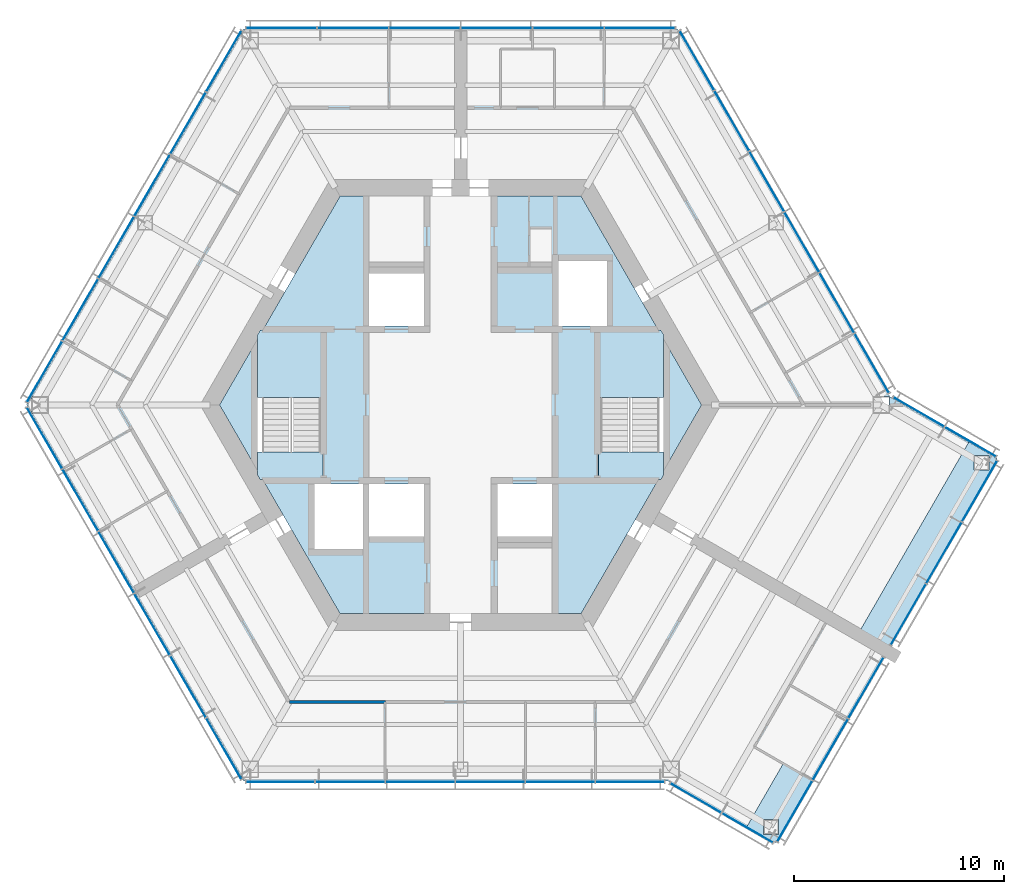
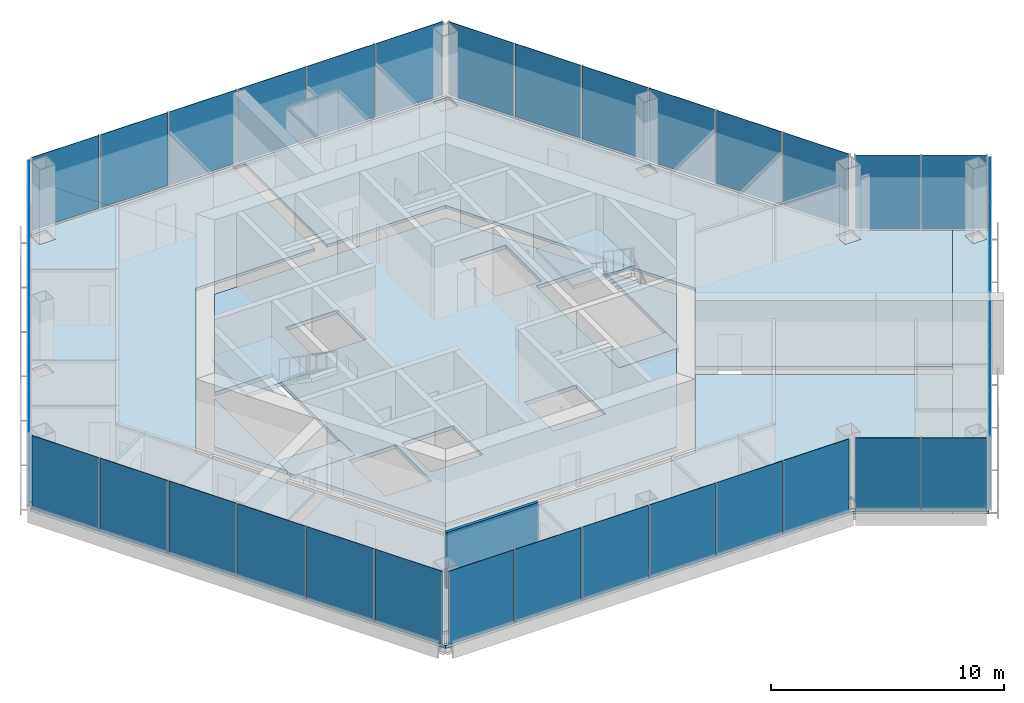
# One storey, part 6 of 13: 40 plates, 9 slabs, 1 wall, 11 elements without a shape of their own.
"""IFC4 building model written with IfcOpenShell, lengths in metres."""

from ifc_helpers import new_model, si_unit, direction, frame, frame_2d, origin, origin_2d, place, context, subcontext, project, spatial, polyline, rectangle, outline, extrude, material, layer, layer_set, type_object, element, aggregate, save


model = new_model("IFC4")

# Units and contexts
model_context = context("Model", 3, precision=1e-05, world=origin(), true_north=direction((0.0, 1.0)))
body_context = subcontext(model_context, "Body", "Model", "MODEL_VIEW")
ifc_project = project(units=[si_unit("LENGTHUNIT", "METRE"), si_unit("AREAUNIT", "SQUARE_METRE"), si_unit("VOLUMEUNIT", "CUBIC_METRE"), si_unit("PLANEANGLEUNIT", "RADIAN"), si_unit("MASSUNIT", "GRAM", prefix="KILO")], contexts=[model_context])

# Site, building, storey
site_placement = place(None, origin())
site = spatial("IfcSite", under=ifc_project, at=site_placement, CompositionType="ELEMENT")
building_placement = place(site_placement, origin())
building = spatial("IfcBuilding", under=site, at=building_placement, Name="Kasaneha Research Tower", CompositionType="ELEMENT")
storey_placement = place(building_placement, frame((0.0, 0.0, 283.0)))
storey = spatial("IfcBuildingStorey", under=building, at=storey_placement, Name="L71", CompositionType="ELEMENT", Elevation=283.0)

# Curtain wall, plates
ifc_material_1 = material(Name="Glass and aluminium", Category="aluminium")
curtain_wall_type = type_object("IfcCurtainWallType", Name="Crown curtain wall", PredefinedType="USERDEFINED", material=ifc_material_1)
curtain_wall_1_placement = place(storey_placement, origin())
curtain_wall_1 = element("IfcCurtainWall", 1, at=curtain_wall_1_placement, inside=storey, type_object=curtain_wall_type, Name="CW-C L71 run 01a", ObjectType="UNITISED CURTAIN WALL", PredefinedType="USERDEFINED")
ifc_material_2 = material(Name="Laminated double glazing", Category="glass")
ifc_layer_1 = layer(ifc_material_2, 0.02587890625)
ifc_layer_set_1 = layer_set([ifc_layer_1], Name="CW-C glazed panel")
plate_type = type_object("IfcPlateType", Name="CW-C glazed panel", PredefinedType="CURTAIN_PANEL", material=ifc_layer_set_1)
plate_1_placement = place(storey_placement, frame((19.549072265625, 1.981201171875, 0.06005859375), z_axis=(0.0, 0.0, 1.0), x_axis=(-0.499999979232, 0.866025415775, 0.0)))
plate_1 = element("IfcPlate", 2, at=plate_1_placement, type_object=plate_type, Name="CW-C panel 1", PredefinedType="CURTAIN_PANEL", context=body_context, shape_type="SweptSolid", body=[
    extrude(rectangle(XDim=3.240966796875, YDim=0.02587890625, at=origin_2d()), origin(), (0.0, 0.0, 1.0), 3.840087890625),
])
plate_2_placement = place(storey_placement, frame((17.89111328125, 4.852783203125, 0.06005859375), z_axis=(0.0, 0.0, 1.0), x_axis=(-0.499999979232, 0.866025415775, 0.0)))
plate_2 = element("IfcPlate", 3, at=plate_2_placement, type_object=plate_type, Name="CW-C panel 2", PredefinedType="CURTAIN_PANEL", context=body_context, shape_type="SweptSolid", body=[
    extrude(rectangle(XDim=3.27099609375, YDim=0.02587890625, at=origin_2d()), origin(), (0.0, 0.0, 1.0), 3.840087890625),
])
plate_3_placement = place(storey_placement, frame((16.2255859375, 7.737548828125, 0.06005859375), z_axis=(0.0, 0.0, 1.0), x_axis=(-0.499999979232, 0.866025415775, 0.0)))
plate_3 = element("IfcPlate", 4, at=plate_3_placement, type_object=plate_type, Name="CW-C panel 3", PredefinedType="CURTAIN_PANEL", context=body_context, shape_type="SweptSolid", body=[
    extrude(rectangle(XDim=3.27099609375, YDim=0.02587890625, at=origin_2d()), origin(), (0.0, 0.0, 1.0), 3.840087890625),
])
plate_4_placement = place(storey_placement, frame((14.56005859375, 10.622314453125, 0.06005859375), z_axis=(0.0, 0.0, 1.0), x_axis=(-0.499999979232, 0.866025415775, 0.0)))
plate_4 = element("IfcPlate", 5, at=plate_4_placement, type_object=plate_type, Name="CW-C panel 4", PredefinedType="CURTAIN_PANEL", context=body_context, shape_type="SweptSolid", body=[
    extrude(rectangle(XDim=3.27099609375, YDim=0.02587890625, at=origin_2d()), origin(), (0.0, 0.0, 1.0), 3.840087890625),
])
plate_5_placement = place(storey_placement, frame((12.89453125, 13.5068359375, 0.06005859375), z_axis=(0.0, 0.0, 1.0), x_axis=(-0.499999979232, 0.866025415775, 0.0)))
plate_5 = element("IfcPlate", 6, at=plate_5_placement, type_object=plate_type, Name="CW-C panel 5", PredefinedType="CURTAIN_PANEL", context=body_context, shape_type="SweptSolid", body=[
    extrude(rectangle(XDim=3.27099609375, YDim=0.02587890625, at=origin_2d()), origin(), (0.0, 0.0, 1.0), 3.840087890625),
])
plate_6_placement = place(storey_placement, frame((11.236572265625, 16.378662109375, 0.06005859375), z_axis=(0.0, 0.0, 1.0), x_axis=(-0.499999979232, 0.866025415775, 0.0)))
plate_6 = element("IfcPlate", 7, at=plate_6_placement, type_object=plate_type, Name="CW-C panel 6", PredefinedType="CURTAIN_PANEL", context=body_context, shape_type="SweptSolid", body=[
    extrude(rectangle(XDim=3.240966796875, YDim=0.02587890625, at=origin_2d()), origin(), (0.0, 0.0, 1.0), 3.840087890625),
])
aggregate(curtain_wall_1, [plate_1, plate_2, plate_3, plate_4, plate_5, plate_6])

curtain_wall_2_placement = place(storey_placement, origin())
curtain_wall_2 = element("IfcCurtainWall", 8, at=curtain_wall_2_placement, inside=storey, type_object=curtain_wall_type, Name="CW-C L71 run 02a", ObjectType="UNITISED CURTAIN WALL", PredefinedType="USERDEFINED")
plate_7_placement = place(storey_placement, frame((8.523681640625, 17.92041015625, 0.06005859375), z_axis=(0.0, 0.0, 1.0), x_axis=(-1.0, 0.0, 0.0)))
plate_7 = element("IfcPlate", 9, at=plate_7_placement, type_object=plate_type, Name="CW-C panel 1", PredefinedType="CURTAIN_PANEL", context=body_context, shape_type="SweptSolid", body=[
    extrude(rectangle(XDim=3.325439453125, YDim=0.02587890625, at=origin_2d()), origin(), (0.0, 0.0, 1.0), 3.840087890625),
])
plate_8_placement = place(storey_placement, frame((5.123291015625, 17.92041015625, 0.06005859375), z_axis=(0.0, 0.0, 1.0), x_axis=(-1.0, 0.0, 0.0)))
plate_8 = element("IfcPlate", 10, at=plate_8_placement, type_object=plate_type, Name="CW-C panel 2", PredefinedType="CURTAIN_PANEL", context=body_context, shape_type="SweptSolid", body=[
    extrude(rectangle(XDim=3.35546875, YDim=0.02587890625, at=origin_2d()), origin(), (0.0, 0.0, 1.0), 3.840087890625),
])
plate_9_placement = place(storey_placement, frame((1.707763671875, 17.92041015625, 0.06005859375), z_axis=(0.0, 0.0, 1.0), x_axis=(-1.0, 0.0, 0.0)))
plate_9 = element("IfcPlate", 11, at=plate_9_placement, type_object=plate_type, Name="CW-C panel 3", PredefinedType="CURTAIN_PANEL", context=body_context, shape_type="SweptSolid", body=[
    extrude(rectangle(XDim=3.35546875, YDim=0.02587890625, at=origin_2d()), origin(), (0.0, 0.0, 1.0), 3.840087890625),
])
plate_10_placement = place(storey_placement, frame((-1.707763671875, 17.92041015625, 0.06005859375), z_axis=(0.0, 0.0, 1.0), x_axis=(-1.0, 0.0, 0.0)))
plate_10 = element("IfcPlate", 12, at=plate_10_placement, type_object=plate_type, Name="CW-C panel 4", PredefinedType="CURTAIN_PANEL", context=body_context, shape_type="SweptSolid", body=[
    extrude(rectangle(XDim=3.35546875, YDim=0.02587890625, at=origin_2d()), origin(), (0.0, 0.0, 1.0), 3.840087890625),
])
plate_11_placement = place(storey_placement, frame((-5.123291015625, 17.92041015625, 0.06005859375), z_axis=(0.0, 0.0, 1.0), x_axis=(-1.0, 0.0, 0.0)))
plate_11 = element("IfcPlate", 13, at=plate_11_placement, type_object=plate_type, Name="CW-C panel 5", PredefinedType="CURTAIN_PANEL", context=body_context, shape_type="SweptSolid", body=[
    extrude(rectangle(XDim=3.35546875, YDim=0.02587890625, at=origin_2d()), origin(), (0.0, 0.0, 1.0), 3.840087890625),
])
plate_12_placement = place(storey_placement, frame((-8.523681640625, 17.92041015625, 0.06005859375), z_axis=(0.0, 0.0, 1.0), x_axis=(-1.0, 0.0, 0.0)))
plate_12 = element("IfcPlate", 14, at=plate_12_placement, type_object=plate_type, Name="CW-C panel 6", PredefinedType="CURTAIN_PANEL", context=body_context, shape_type="SweptSolid", body=[
    extrude(rectangle(XDim=3.325439453125, YDim=0.02587890625, at=origin_2d()), origin(), (0.0, 0.0, 1.0), 3.840087890625),
])
aggregate(curtain_wall_2, [plate_7, plate_8, plate_9, plate_10, plate_11, plate_12])

curtain_wall_3_placement = place(storey_placement, origin())
curtain_wall_3 = element("IfcCurtainWall", 15, at=curtain_wall_3_placement, inside=storey, type_object=curtain_wall_type, Name="CW-C L71 run 03a", ObjectType="UNITISED CURTAIN WALL", PredefinedType="USERDEFINED")
plate_13_placement = place(storey_placement, frame((-11.2578125, 16.342041015625, 0.06005859375), z_axis=(0.0, 0.0, 1.0), x_axis=(-0.499999995722, -0.866025406254, 0.0)))
plate_13 = element("IfcPlate", 16, at=plate_13_placement, type_object=plate_type, Name="CW-C panel 1", PredefinedType="CURTAIN_PANEL", context=body_context, shape_type="SweptSolid", body=[
    extrude(rectangle(XDim=3.325439453125, YDim=0.02587890625, at=origin_2d()), origin(), (0.0, 0.0, 1.0), 3.840087890625),
])
plate_14_placement = place(storey_placement, frame((-12.9580078125, 13.39697265625, 0.06005859375), z_axis=(0.0, 0.0, 1.0), x_axis=(-0.499999995722, -0.866025406254, 0.0)))
plate_14 = element("IfcPlate", 17, at=plate_14_placement, type_object=plate_type, Name="CW-C panel 2", PredefinedType="CURTAIN_PANEL", context=body_context, shape_type="SweptSolid", body=[
    extrude(rectangle(XDim=3.35546875, YDim=0.02587890625, at=origin_2d()), origin(), (0.0, 0.0, 1.0), 3.840087890625),
])
plate_15_placement = place(storey_placement, frame((-14.665771484375, 10.439208984375, 0.06005859375), z_axis=(0.0, 0.0, 1.0), x_axis=(-0.499999995722, -0.866025406254, 0.0)))
plate_15 = element("IfcPlate", 18, at=plate_15_placement, type_object=plate_type, Name="CW-C panel 3", PredefinedType="CURTAIN_PANEL", context=body_context, shape_type="SweptSolid", body=[
    extrude(rectangle(XDim=3.35546875, YDim=0.02587890625, at=origin_2d()), origin(), (0.0, 0.0, 1.0), 3.840087890625),
])
plate_16_placement = place(storey_placement, frame((-16.37353515625, 7.481201171875, 0.06005859375), z_axis=(0.0, 0.0, 1.0), x_axis=(-0.499999995722, -0.866025406254, 0.0)))
plate_16 = element("IfcPlate", 19, at=plate_16_placement, type_object=plate_type, Name="CW-C panel 4", PredefinedType="CURTAIN_PANEL", context=body_context, shape_type="SweptSolid", body=[
    extrude(rectangle(XDim=3.35546875, YDim=0.02587890625, at=origin_2d()), origin(), (0.0, 0.0, 1.0), 3.840087890625),
])
plate_17_placement = place(storey_placement, frame((-18.081298828125, 4.5234375, 0.06005859375), z_axis=(0.0, 0.0, 1.0), x_axis=(-0.499999995722, -0.866025406254, 0.0)))
plate_17 = element("IfcPlate", 20, at=plate_17_placement, type_object=plate_type, Name="CW-C panel 5", PredefinedType="CURTAIN_PANEL", context=body_context, shape_type="SweptSolid", body=[
    extrude(rectangle(XDim=3.35546875, YDim=0.02587890625, at=origin_2d()), origin(), (0.0, 0.0, 1.0), 3.840087890625),
])
plate_18_placement = place(storey_placement, frame((-19.781494140625, 1.57861328125, 0.06005859375), z_axis=(0.0, 0.0, 1.0), x_axis=(-0.499999995722, -0.866025406254, 0.0)))
plate_18 = element("IfcPlate", 21, at=plate_18_placement, type_object=plate_type, Name="CW-C panel 6", PredefinedType="CURTAIN_PANEL", context=body_context, shape_type="SweptSolid", body=[
    extrude(rectangle(XDim=3.325439453125, YDim=0.02587890625, at=origin_2d()), origin(), (0.0, 0.0, 1.0), 3.840087890625),
])
aggregate(curtain_wall_3, [plate_13, plate_14, plate_15, plate_16, plate_17, plate_18])

curtain_wall_4_placement = place(storey_placement, origin())
curtain_wall_4 = element("IfcCurtainWall", 22, at=curtain_wall_4_placement, inside=storey, type_object=curtain_wall_type, Name="CW-C L71 run 04a", ObjectType="UNITISED CURTAIN WALL", PredefinedType="USERDEFINED")
plate_19_placement = place(storey_placement, frame((-19.781494140625, -1.57861328125, 0.06005859375), z_axis=(0.0, 0.0, 1.0), x_axis=(0.499999995722, -0.866025406254, 0.0)))
plate_19 = element("IfcPlate", 23, at=plate_19_placement, type_object=plate_type, Name="CW-C panel 1", PredefinedType="CURTAIN_PANEL", context=body_context, shape_type="SweptSolid", body=[
    extrude(rectangle(XDim=3.325439453125, YDim=0.02587890625, at=origin_2d()), origin(), (0.0, 0.0, 1.0), 3.840087890625),
])
plate_20_placement = place(storey_placement, frame((-18.081298828125, -4.5234375, 0.06005859375), z_axis=(0.0, 0.0, 1.0), x_axis=(0.499999995722, -0.866025406254, 0.0)))
plate_20 = element("IfcPlate", 24, at=plate_20_placement, type_object=plate_type, Name="CW-C panel 2", PredefinedType="CURTAIN_PANEL", context=body_context, shape_type="SweptSolid", body=[
    extrude(rectangle(XDim=3.35546875, YDim=0.02587890625, at=origin_2d()), origin(), (0.0, 0.0, 1.0), 3.840087890625),
])
plate_21_placement = place(storey_placement, frame((-16.37353515625, -7.481201171875, 0.06005859375), z_axis=(0.0, 0.0, 1.0), x_axis=(0.499999995722, -0.866025406254, 0.0)))
plate_21 = element("IfcPlate", 25, at=plate_21_placement, type_object=plate_type, Name="CW-C panel 3", PredefinedType="CURTAIN_PANEL", context=body_context, shape_type="SweptSolid", body=[
    extrude(rectangle(XDim=3.35546875, YDim=0.02587890625, at=origin_2d()), origin(), (0.0, 0.0, 1.0), 3.840087890625),
])
plate_22_placement = place(storey_placement, frame((-14.665771484375, -10.439208984375, 0.06005859375), z_axis=(0.0, 0.0, 1.0), x_axis=(0.499999995722, -0.866025406254, 0.0)))
plate_22 = element("IfcPlate", 26, at=plate_22_placement, type_object=plate_type, Name="CW-C panel 4", PredefinedType="CURTAIN_PANEL", context=body_context, shape_type="SweptSolid", body=[
    extrude(rectangle(XDim=3.35546875, YDim=0.02587890625, at=origin_2d()), origin(), (0.0, 0.0, 1.0), 3.840087890625),
])
plate_23_placement = place(storey_placement, frame((-12.9580078125, -13.39697265625, 0.06005859375), z_axis=(0.0, 0.0, 1.0), x_axis=(0.499999995722, -0.866025406254, 0.0)))
plate_23 = element("IfcPlate", 27, at=plate_23_placement, type_object=plate_type, Name="CW-C panel 5", PredefinedType="CURTAIN_PANEL", context=body_context, shape_type="SweptSolid", body=[
    extrude(rectangle(XDim=3.35546875, YDim=0.02587890625, at=origin_2d()), origin(), (0.0, 0.0, 1.0), 3.840087890625),
])
plate_24_placement = place(storey_placement, frame((-11.2578125, -16.342041015625, 0.06005859375), z_axis=(0.0, 0.0, 1.0), x_axis=(0.499999995722, -0.866025406254, 0.0)))
plate_24 = element("IfcPlate", 28, at=plate_24_placement, type_object=plate_type, Name="CW-C panel 6", PredefinedType="CURTAIN_PANEL", context=body_context, shape_type="SweptSolid", body=[
    extrude(rectangle(XDim=3.325439453125, YDim=0.02587890625, at=origin_2d()), origin(), (0.0, 0.0, 1.0), 3.840087890625),
])
aggregate(curtain_wall_4, [plate_19, plate_20, plate_21, plate_22, plate_23, plate_24])

curtain_wall_5_placement = place(storey_placement, origin())
curtain_wall_5 = element("IfcCurtainWall", 29, at=curtain_wall_5_placement, inside=storey, type_object=curtain_wall_type, Name="CW-C L71 run 05a", ObjectType="UNITISED CURTAIN WALL", PredefinedType="USERDEFINED")
plate_25_placement = place(storey_placement, frame((-8.56591796875, -17.92041015625, 0.06005859375), z_axis=(0.0, 0.0, 1.0), x_axis=(1.0, 0.0, 0.0)))
plate_25 = element("IfcPlate", 30, at=plate_25_placement, type_object=plate_type, Name="CW-C panel 1", PredefinedType="CURTAIN_PANEL", context=body_context, shape_type="SweptSolid", body=[
    extrude(rectangle(XDim=3.240966796875, YDim=0.02587890625, at=origin_2d()), origin(), (0.0, 0.0, 1.0), 3.840087890625),
])
plate_26_placement = place(storey_placement, frame((-5.25, -17.92041015625, 0.06005859375), z_axis=(0.0, 0.0, 1.0), x_axis=(1.0, 0.0, 0.0)))
plate_26 = element("IfcPlate", 31, at=plate_26_placement, type_object=plate_type, Name="CW-C panel 2", PredefinedType="CURTAIN_PANEL", context=body_context, shape_type="SweptSolid", body=[
    extrude(rectangle(XDim=3.27099609375, YDim=0.02587890625, at=origin_2d()), origin(), (0.0, 0.0, 1.0), 3.840087890625),
])
plate_27_placement = place(storey_placement, frame((-1.9189453125, -17.92041015625, 0.06005859375), z_axis=(0.0, 0.0, 1.0), x_axis=(1.0, 0.0, 0.0)))
plate_27 = element("IfcPlate", 32, at=plate_27_placement, type_object=plate_type, Name="CW-C panel 3", PredefinedType="CURTAIN_PANEL", context=body_context, shape_type="SweptSolid", body=[
    extrude(rectangle(XDim=3.27099609375, YDim=0.02587890625, at=origin_2d()), origin(), (0.0, 0.0, 1.0), 3.840087890625),
])
plate_28_placement = place(storey_placement, frame((1.411865234375, -17.92041015625, 0.06005859375), z_axis=(0.0, 0.0, 1.0), x_axis=(1.0, 0.0, 0.0)))
plate_28 = element("IfcPlate", 33, at=plate_28_placement, type_object=plate_type, Name="CW-C panel 4", PredefinedType="CURTAIN_PANEL", context=body_context, shape_type="SweptSolid", body=[
    extrude(rectangle(XDim=3.27099609375, YDim=0.02587890625, at=origin_2d()), origin(), (0.0, 0.0, 1.0), 3.840087890625),
])
plate_29_placement = place(storey_placement, frame((4.742919921875, -17.92041015625, 0.06005859375), z_axis=(0.0, 0.0, 1.0), x_axis=(1.0, 0.0, 0.0)))
plate_29 = element("IfcPlate", 34, at=plate_29_placement, type_object=plate_type, Name="CW-C panel 5", PredefinedType="CURTAIN_PANEL", context=body_context, shape_type="SweptSolid", body=[
    extrude(rectangle(XDim=3.27099609375, YDim=0.02587890625, at=origin_2d()), origin(), (0.0, 0.0, 1.0), 3.840087890625),
])
plate_30_placement = place(storey_placement, frame((8.058837890625, -17.92041015625, 0.06005859375), z_axis=(0.0, 0.0, 1.0), x_axis=(1.0, 0.0, 0.0)))
plate_30 = element("IfcPlate", 35, at=plate_30_placement, type_object=plate_type, Name="CW-C panel 6", PredefinedType="CURTAIN_PANEL", context=body_context, shape_type="SweptSolid", body=[
    extrude(rectangle(XDim=3.240966796875, YDim=0.02587890625, at=origin_2d()), origin(), (0.0, 0.0, 1.0), 3.840087890625),
])
aggregate(curtain_wall_5, [plate_25, plate_26, plate_27, plate_28, plate_29, plate_30])

curtain_wall_6_placement = place(storey_placement, origin())
curtain_wall_6 = element("IfcCurtainWall", 36, at=curtain_wall_6_placement, inside=storey, type_object=curtain_wall_type, Name="CW-C L71 run 06a", ObjectType="UNITISED CURTAIN WALL", PredefinedType="USERDEFINED")
plate_31_placement = place(storey_placement, frame((11.181396484375, -18.6953125, 0.06005859375), z_axis=(0.0, 0.0, 1.0), x_axis=(0.866025443395, -0.499999931393, 0.0)))
plate_31 = element("IfcPlate", 37, at=plate_31_placement, type_object=plate_type, Name="CW-C panel 1", PredefinedType="CURTAIN_PANEL", context=body_context, shape_type="SweptSolid", body=[
    extrude(rectangle(XDim=2.779541015625, YDim=0.02587890625, at=origin_2d()), origin(), (0.0, 0.0, 1.0), 3.840087890625),
])
plate_32_placement = place(storey_placement, frame((13.640625, -20.115234375, 0.06005859375), z_axis=(0.0, 0.0, 1.0), x_axis=(0.866025443395, -0.499999931393, 0.0)))
plate_32 = element("IfcPlate", 38, at=plate_32_placement, type_object=plate_type, Name="CW-C panel 2", PredefinedType="CURTAIN_PANEL", context=body_context, shape_type="SweptSolid", body=[
    extrude(rectangle(XDim=2.779541015625, YDim=0.02587890625, at=origin_2d()), origin(), (0.0, 0.0, 1.0), 3.840087890625),
])
aggregate(curtain_wall_6, [plate_31, plate_32])

curtain_wall_7_placement = place(storey_placement, origin())
curtain_wall_7 = element("IfcCurtainWall", 39, at=curtain_wall_7_placement, inside=storey, type_object=curtain_wall_type, Name="CW-C L71 run 07a", ObjectType="UNITISED CURTAIN WALL", PredefinedType="USERDEFINED")
plate_33_placement = place(storey_placement, frame((15.89013671875, -19.318359375, 0.06005859375), z_axis=(0.0, 0.0, 1.0), x_axis=(0.500000011442, 0.866025397178, 0.0)))
plate_33 = element("IfcPlate", 40, at=plate_33_placement, type_object=plate_type, Name="CW-C panel 1", PredefinedType="CURTAIN_PANEL", context=body_context, shape_type="SweptSolid", body=[
    extrude(rectangle(XDim=3.31005859375, YDim=0.02587890625, at=origin_2d()), origin(), (0.0, 0.0, 1.0), 3.840087890625),
])
plate_34_placement = place(storey_placement, frame((17.582763671875, -16.38671875, 0.06005859375), z_axis=(0.0, 0.0, 1.0), x_axis=(0.500000011442, 0.866025397178, 0.0)))
plate_34 = element("IfcPlate", 41, at=plate_34_placement, type_object=plate_type, Name="CW-C panel 2", PredefinedType="CURTAIN_PANEL", context=body_context, shape_type="SweptSolid", body=[
    extrude(rectangle(XDim=3.340087890625, YDim=0.02587890625, at=origin_2d()), origin(), (0.0, 0.0, 1.0), 3.840087890625),
])
plate_35_placement = place(storey_placement, frame((19.275146484375, -13.455322265625, 0.06005859375), z_axis=(0.0, 0.0, 1.0), x_axis=(0.500000011442, 0.866025397178, 0.0)))
plate_35 = element("IfcPlate", 42, at=plate_35_placement, type_object=plate_type, Name="CW-C panel 3", PredefinedType="CURTAIN_PANEL", context=body_context, shape_type="SweptSolid", body=[
    extrude(rectangle(XDim=3.31005859375, YDim=0.02587890625, at=origin_2d()), origin(), (0.0, 0.0, 1.0), 3.840087890625),
])
aggregate(curtain_wall_7, [plate_33, plate_34, plate_35])

curtain_wall_8_placement = place(storey_placement, origin())
curtain_wall_8 = element("IfcCurtainWall", 43, at=curtain_wall_8_placement, inside=storey, type_object=curtain_wall_type, Name="CW-C L71 run 08a", ObjectType="UNITISED CURTAIN WALL", PredefinedType="USERDEFINED")
plate_36_placement = place(storey_placement, frame((21.290283203125, -9.96533203125, 0.06005859375), z_axis=(0.0, 0.0, 1.0), x_axis=(0.500000011442, 0.866025397178, 0.0)))
plate_36 = element("IfcPlate", 44, at=plate_36_placement, type_object=plate_type, Name="CW-C panel 1", PredefinedType="CURTAIN_PANEL", context=body_context, shape_type="SweptSolid", body=[
    extrude(rectangle(XDim=3.31005859375, YDim=0.02587890625, at=origin_2d()), origin(), (0.0, 0.0, 1.0), 3.840087890625),
])
plate_37_placement = place(storey_placement, frame((22.982666015625, -7.03369140625, 0.06005859375), z_axis=(0.0, 0.0, 1.0), x_axis=(0.500000011442, 0.866025397178, 0.0)))
plate_37 = element("IfcPlate", 45, at=plate_37_placement, type_object=plate_type, Name="CW-C panel 2", PredefinedType="CURTAIN_PANEL", context=body_context, shape_type="SweptSolid", body=[
    extrude(rectangle(XDim=3.340087890625, YDim=0.02587890625, at=origin_2d()), origin(), (0.0, 0.0, 1.0), 3.840087890625),
])
plate_38_placement = place(storey_placement, frame((24.67529296875, -4.102294921875, 0.06005859375), z_axis=(0.0, 0.0, 1.0), x_axis=(0.500000011442, 0.866025397178, 0.0)))
plate_38 = element("IfcPlate", 46, at=plate_38_placement, type_object=plate_type, Name="CW-C panel 3", PredefinedType="CURTAIN_PANEL", context=body_context, shape_type="SweptSolid", body=[
    extrude(rectangle(XDim=3.31005859375, YDim=0.02587890625, at=origin_2d()), origin(), (0.0, 0.0, 1.0), 3.840087890625),
])
aggregate(curtain_wall_8, [plate_36, plate_37, plate_38])

curtain_wall_9_placement = place(storey_placement, origin())
curtain_wall_9 = element("IfcCurtainWall", 47, at=curtain_wall_9_placement, inside=storey, type_object=curtain_wall_type, Name="CW-C L71 run 09a", ObjectType="UNITISED CURTAIN WALL", PredefinedType="USERDEFINED")
plate_39_placement = place(storey_placement, frame((24.240478515625, -1.75537109375, 0.06005859375), z_axis=(0.0, 0.0, 1.0), x_axis=(-0.866025443395, 0.499999931393, 0.0)))
plate_39 = element("IfcPlate", 48, at=plate_39_placement, type_object=plate_type, Name="CW-C panel 1", PredefinedType="CURTAIN_PANEL", context=body_context, shape_type="SweptSolid", body=[
    extrude(rectangle(XDim=2.779541015625, YDim=0.02587890625, at=origin_2d()), origin(), (0.0, 0.0, 1.0), 3.840087890625),
])
plate_40_placement = place(storey_placement, frame((21.781494140625, -0.335693359375, 0.06005859375), z_axis=(0.0, 0.0, 1.0), x_axis=(-0.866025443395, 0.499999931393, 0.0)))
plate_40 = element("IfcPlate", 49, at=plate_40_placement, type_object=plate_type, Name="CW-C panel 2", PredefinedType="CURTAIN_PANEL", context=body_context, shape_type="SweptSolid", body=[
    extrude(rectangle(XDim=2.779541015625, YDim=0.02587890625, at=origin_2d()), origin(), (0.0, 0.0, 1.0), 3.840087890625),
])
aggregate(curtain_wall_9, [plate_39, plate_40])

# Slabs
ifc_material_3 = material(Name="Concrete Fc24", Category="concrete")
ifc_layer_2 = layer(ifc_material_3, 0.199951171875)
ifc_layer_set_2 = layer_set([ifc_layer_2], Name="Core floor slab 200")
slab_type_1 = type_object("IfcSlabType", Name="Core floor slab 200", PredefinedType="FLOOR", material=ifc_layer_set_2)
slab_1_placement = place(storey_placement, frame((0.0, 0.0, -0.199951171875)))
element("IfcSlab", 50, at=slab_1_placement, inside=storey, type_object=slab_type_1, Name="Core slab L71", PredefinedType="FLOOR", context=body_context, shape_type="SweptSolid", body=[
    extrude(outline(polyline([(-11.46044921875, 0.0), (-9.64990234375, 3.1357421875), (-9.64990234375, -3.1357421875), (-11.46044921875, 0.0)])), origin(), (0.0, 0.0, 1.0), 0.199951171875),
])
slab_2_placement = place(storey_placement, frame((0.0, 0.0, -0.199951171875)))
element("IfcSlab", 51, at=slab_2_placement, inside=storey, type_object=slab_type_1, Name="Core slab L71", PredefinedType="FLOOR", context=body_context, shape_type="SweptSolid", body=[
    extrude(outline(polyline([(-5.730224609375, 9.925048828125), (5.730224609375, 9.925048828125), (9.410888671875, 3.550048828125), (6.550048828125, 3.550048828125), (6.550048828125, -3.550048828125), (9.410888671875, -3.550048828125), (5.730224609375, -9.925048828125), (-5.730224609375, -9.925048828125), (-9.410888671875, -3.550048828125), (-6.550048828125, -3.550048828125), (-6.550048828125, 3.550048828125), (-9.410888671875, 3.550048828125), (-5.730224609375, 9.925048828125)]), holes=[polyline([(-6.949951171875, -6.85009765625), (-4.64990234375, -6.85009765625), (-4.64990234375, -3.75), (-6.949951171875, -3.75), (-6.949951171875, -6.85009765625)]), polyline([(-4.35009765625, -3.75), (-4.35009765625, -6.25), (-1.75, -6.25), (-1.75, -3.75), (-4.35009765625, -3.75)]), polyline([(1.75, -3.75), (1.75, -6.25), (4.35009765625, -6.25), (4.35009765625, -3.75), (1.75, -3.75)]), polyline([(-4.35009765625, 6.25), (-4.35009765625, 3.75), (-1.75, 3.75), (-1.75, 6.25), (-4.35009765625, 6.25)]), polyline([(4.64990234375, 6.85009765625), (4.64990234375, 3.75), (6.949951171875, 3.75), (6.949951171875, 6.85009765625), (4.64990234375, 6.85009765625)])]), origin(), (0.0, 0.0, 1.0), 0.199951171875),
])
slab_3_placement = place(storey_placement, frame((0.0, 0.0, -0.199951171875)))
element("IfcSlab", 52, at=slab_3_placement, inside=storey, type_object=slab_type_1, Name="Core slab L71", PredefinedType="FLOOR", context=body_context, shape_type="SweptSolid", body=[
    extrude(outline(polyline([(11.46044921875, 0.0), (9.64990234375, -3.1357421875), (9.64990234375, 3.1357421875), (11.46044921875, 0.0)])), origin(), (0.0, 0.0, 1.0), 0.199951171875),
])
ifc_material_4 = material(Name="Concrete Fc24", Category="concrete")
ifc_layer_3 = layer(ifc_material_4, 0.14990234375)
ifc_layer_set_3 = layer_set([ifc_layer_3], Name="Floor slab 150")
slab_type_2 = type_object("IfcSlabType", Name="Floor slab 150", PredefinedType="FLOOR", material=ifc_layer_set_3)
slab_4_placement = place(storey_placement, frame((0.0, 0.0, -0.14990234375)))
element("IfcSlab", 53, at=slab_4_placement, inside=storey, type_object=slab_type_2, Name="Floor slab L71 1", PredefinedType="FLOOR", context=body_context, shape_type="SweptSolid", body=[
    extrude(outline(polyline([(-10.317626953125, -17.87060546875), (-10.3974609375, -17.732177734375), (-10.385986328125, -17.720703125), (-9.599853515625, -17.720703125), (-9.599853515625, -16.92041015625), (-10.400146484375, -16.92041015625), (-10.400146484375, -17.70654296875), (-10.40771484375, -17.714111328125), (-20.635009765625, 0.0), (-20.40771484375, 0.3935546875), (-20.400146484375, 0.385986328125), (-20.400146484375, -0.400146484375), (-19.599853515625, -0.400146484375), (-19.599853515625, 0.400146484375), (-20.385986328125, 0.400146484375), (-20.3974609375, 0.41162109375), (-10.40771484375, 17.714111328125), (-10.400146484375, 17.70654296875), (-10.400146484375, 16.92041015625), (-9.599853515625, 16.92041015625), (-9.599853515625, 17.720703125), (-10.385986328125, 17.720703125), (-10.3974609375, 17.732177734375), (-10.317626953125, 17.87060546875), (10.317626953125, 17.87060546875), (10.3974609375, 17.732177734375), (10.385986328125, 17.720703125), (9.599853515625, 17.720703125), (9.599853515625, 16.92041015625), (10.400146484375, 16.92041015625), (10.400146484375, 17.70654296875), (10.40771484375, 17.714111328125), (20.3974609375, 0.41162109375), (20.385986328125, 0.400146484375), (19.599853515625, 0.400146484375), (19.599853515625, -0.400146484375), (20.400146484375, -0.400146484375), (20.400146484375, 0.385986328125), (20.41162109375, 0.3974609375), (24.163330078125, -1.768798828125), (19.038330078125, -10.6455078125), (9.438232421875, -5.102783203125), (12.38427734375, 0.0), (6.192138671875, 10.72509765625), (0.300048828125, 10.72509765625), (0.300048828125, 17.7705078125), (-0.300048828125, 17.7705078125), (-0.300048828125, 10.72509765625), (-6.192138671875, 10.72509765625), (-12.38427734375, 0.0), (-9.438232421875, -5.102783203125), (-15.539794921875, -8.62548828125), (-15.23974609375, -9.14501953125), (-9.13818359375, -5.622314453125), (-6.192138671875, -10.72509765625), (6.192138671875, -10.72509765625), (9.13818359375, -5.622314453125), (18.738525390625, -11.1650390625), (13.613525390625, -20.041748046875), (9.8525390625, -17.87060546875), (-10.317626953125, -17.87060546875)]), holes=[polyline([(0.35009765625, -17.67041015625), (0.35009765625, -16.970458984375), (-0.35009765625, -16.970458984375), (-0.35009765625, -17.67041015625), (0.35009765625, -17.67041015625)]), polyline([(-15.35009765625, 8.310302734375), (-14.64990234375, 8.310302734375), (-14.64990234375, 9.01025390625), (-15.35009765625, 9.01025390625), (-15.35009765625, 8.310302734375)]), polyline([(9.60009765625, -17.720458984375), (10.39990234375, -17.720458984375), (10.39990234375, -16.92041015625), (9.60009765625, -16.92041015625), (9.60009765625, -17.720458984375)]), polyline([(14.64990234375, 8.310302734375), (15.35009765625, 8.310302734375), (15.35009765625, 9.01025390625), (14.64990234375, 9.01025390625), (14.64990234375, 8.310302734375)])]), origin(), (0.0, 0.0, 1.0), 0.14990234375),
])
slab_5_placement = place(storey_placement, frame((0.0, 0.0, -0.14990234375)))
element("IfcSlab", 54, at=slab_5_placement, inside=storey, type_object=slab_type_2, Name="Floor slab L71 2", PredefinedType="FLOOR", context=body_context, shape_type="SweptSolid", body=[
    extrude(outline(polyline([(25.514404296875, -2.548583984375), (14.96435546875, -20.82177734375), (13.613525390625, -20.041748046875), (18.738525390625, -11.1650390625), (18.7470703125, -11.170166015625), (19.047119140625, -10.650390625), (19.038330078125, -10.6455078125), (24.163330078125, -1.768798828125), (25.514404296875, -2.548583984375)]), holes=[polyline([(14.4130859375, -20.42041015625), (15.113037109375, -20.42041015625), (15.113037109375, -19.720458984375), (14.4130859375, -19.720458984375), (14.4130859375, -20.42041015625)]), polyline([(24.4130859375, -3.10009765625), (25.113037109375, -3.10009765625), (25.113037109375, -2.39990234375), (24.4130859375, -2.39990234375), (24.4130859375, -3.10009765625)])]), origin(), (0.0, 0.0, 1.0), 0.14990234375),
])

# Stair, slabs
ifc_material_5 = material(Name="Concrete Fc24", Category="concrete")
stair_type = type_object("IfcStairType", Name="Half-turn stair 22 risers", PredefinedType="HALF_TURN_STAIR", material=ifc_material_5)
stair_1_placement = place(storey_placement, origin())
stair_1 = element("IfcStair", 55, at=stair_1_placement, inside=storey, type_object=stair_type, Name="Stair 1 L71", PredefinedType="HALF_TURN_STAIR")
ifc_material_6 = material(Name="Concrete Fc24", Category="concrete")
ifc_layer_4 = layer(ifc_material_6, 0.199951171875)
ifc_layer_set_4 = layer_set([ifc_layer_4], Name="Stair 1 landing 200")
slab_type_3 = type_object("IfcSlabType", Name="Stair 1 landing 200", PredefinedType="LANDING", material=ifc_layer_set_4)
slab_6_placement = place(storey_placement, frame((0.0, 0.0, -0.199951171875)))
slab_6 = element("IfcSlab", 56, at=slab_6_placement, type_object=slab_type_3, Name="ST1-22R landing 1", PredefinedType="LANDING", context=body_context, shape_type="SweptSolid", body=[
    extrude(outline(polyline([(9.5263671875, -3.550048828125), (6.550048828125, -3.550048828125), (6.550048828125, -2.25), (9.64990234375, -2.25), (9.64990234375, -3.335693359375), (9.5263671875, -3.550048828125)])), origin(), (0.0, 0.0, 1.0), 0.199951171875),
])
slab_7_placement = place(storey_placement, frame((0.0, 0.0, 1.75)))
slab_7 = element("IfcSlab", 57, at=slab_7_placement, type_object=slab_type_3, Name="ST1-22R landing 2", PredefinedType="LANDING", context=body_context, shape_type="SweptSolid", body=[
    extrude(outline(polyline([(6.550048828125, 3.550048828125), (9.5263671875, 3.550048828125), (9.64990234375, 3.335693359375), (9.64990234375, 0.35009765625), (6.550048828125, 0.35009765625), (6.550048828125, 3.550048828125)])), origin(), (0.0, 0.0, 1.0), 0.199951171875),
])
aggregate(stair_1, [slab_6, slab_7])

stair_2_placement = place(storey_placement, origin())
stair_2 = element("IfcStair", 58, at=stair_2_placement, inside=storey, type_object=stair_type, Name="Stair 2 L71", PredefinedType="HALF_TURN_STAIR")
ifc_material_7 = material(Name="Concrete Fc24", Category="concrete")
ifc_layer_5 = layer(ifc_material_7, 0.199951171875)
ifc_layer_set_5 = layer_set([ifc_layer_5], Name="Stair 2 landing 200")
slab_type_4 = type_object("IfcSlabType", Name="Stair 2 landing 200", PredefinedType="LANDING", material=ifc_layer_set_5)
slab_8_placement = place(storey_placement, frame((0.0, 0.0, -0.199951171875)))
slab_8 = element("IfcSlab", 59, at=slab_8_placement, type_object=slab_type_4, Name="ST2-22R landing 1", PredefinedType="LANDING", context=body_context, shape_type="SweptSolid", body=[
    extrude(outline(polyline([(-6.550048828125, -3.550048828125), (-9.5263671875, -3.550048828125), (-9.64990234375, -3.335693359375), (-9.64990234375, -2.25), (-6.550048828125, -2.25), (-6.550048828125, -3.550048828125)])), origin(), (0.0, 0.0, 1.0), 0.199951171875),
])
slab_9_placement = place(storey_placement, frame((0.0, 0.0, 1.75)))
slab_9 = element("IfcSlab", 60, at=slab_9_placement, type_object=slab_type_4, Name="ST2-22R landing 2", PredefinedType="LANDING", context=body_context, shape_type="SweptSolid", body=[
    extrude(outline(polyline([(-6.550048828125, 0.35009765625), (-9.64990234375, 0.35009765625), (-9.64990234375, 3.335693359375), (-9.5263671875, 3.550048828125), (-6.550048828125, 3.550048828125), (-6.550048828125, 0.35009765625)])), origin(), (0.0, 0.0, 1.0), 0.199951171875),
])
aggregate(stair_2, [slab_8, slab_9])

# Wall
ifc_material_8 = material(Name="Gypsum board on steel studs, two layers each side", Category="steel")
ifc_layer_6 = layer(ifc_material_8, 0.14990234375)
ifc_layer_set_6 = layer_set([ifc_layer_6], Name="Suite partition 150")
wall_type = type_object("IfcWallType", Name="Suite partition 150", PredefinedType="PARTITIONING", material=ifc_layer_set_6)
wall_placement = place(storey_placement, frame((-3.57958984375, -14.125, 0.0), z_axis=(0.0, 0.0, 1.0), x_axis=(-1.0, 0.0, 0.0)))
element("IfcWall", 61, at=wall_placement, inside=storey, type_object=wall_type, Name="Suite partition FCS02 L71", PredefinedType="PARTITIONING", context=body_context, shape_type="SweptSolid", body=[
    extrude(rectangle(XDim=4.552490234375, YDim=0.14990234375, at=frame_2d((2.2763671875, 0.0))), origin(), (0.0, 0.0, 1.0), 2.949951171875),
])

save(model, "model.ifc")
